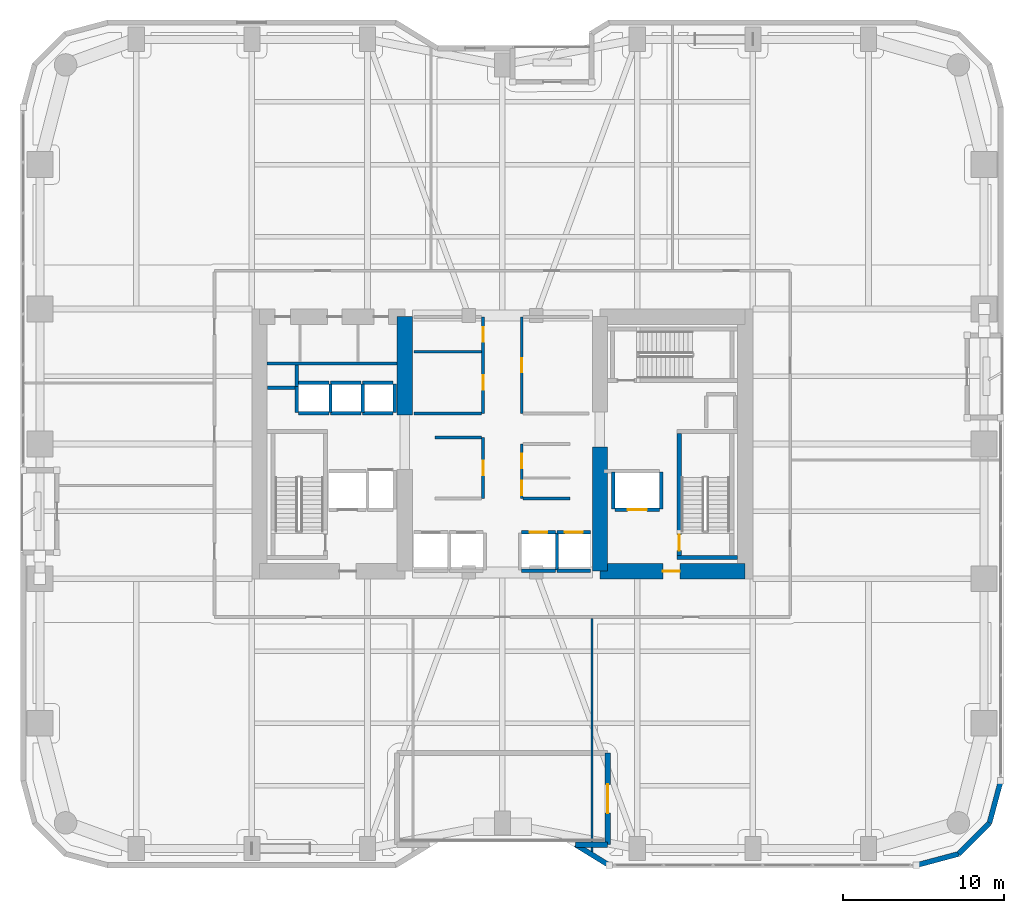
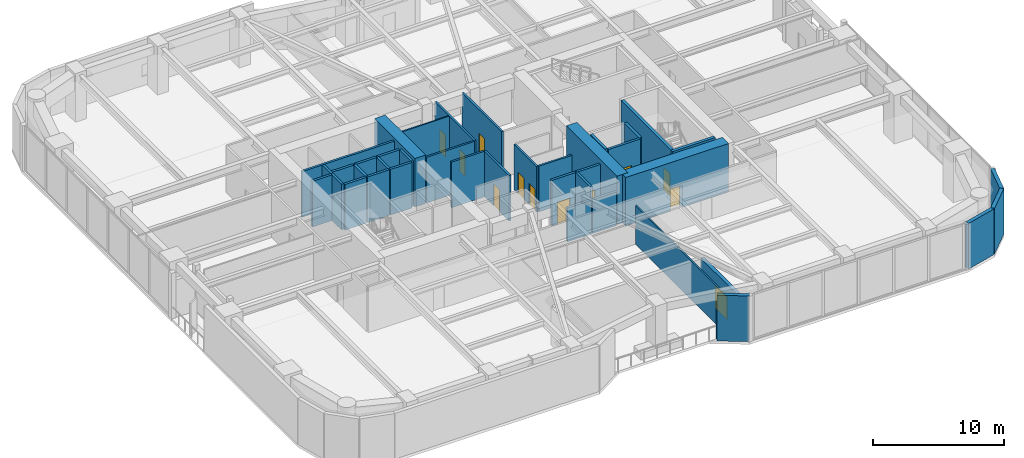
# One storey, part 18 of 25: 41 walls, 12 doors, 12 openings.
"""IFC4 building model written with IfcOpenShell, lengths in metres."""

from ifc_helpers import new_model, si_unit, direction, frame, frame_2d, origin, place, context, subcontext, project, spatial, rectangle, extrude, material, layer, layer_set, type_object, element, fill, save


model = new_model("IFC4")

# Units and contexts
model_context = context("Model", 3, precision=1e-05, world=origin(), true_north=direction((0.0, 1.0)))
body_context = subcontext(model_context, "Body", "Model", "MODEL_VIEW")
ifc_project = project(units=[si_unit("LENGTHUNIT", "METRE"), si_unit("AREAUNIT", "SQUARE_METRE"), si_unit("VOLUMEUNIT", "CUBIC_METRE"), si_unit("PLANEANGLEUNIT", "RADIAN"), si_unit("MASSUNIT", "GRAM", prefix="KILO")], contexts=[model_context])

# Site, building, storey
site_placement = place(None, origin())
site = spatial("IfcSite", under=ifc_project, at=site_placement, CompositionType="ELEMENT")
building_placement = place(site_placement, origin())
building = spatial("IfcBuilding", under=site, at=building_placement, Name="Kiyonajd Concourse Tower", CompositionType="ELEMENT")
storey_placement = place(building_placement, frame((0.0, 0.0, 68.39990234375)))
storey = spatial("IfcBuildingStorey", under=building, at=storey_placement, Name="L18", CompositionType="ELEMENT", Elevation=68.39990234375)

# Walls
ifc_material_1 = material(Name="Concrete C80/95", Category="concrete")
ifc_layer_1 = layer(ifc_material_1, 0.949951171875)
ifc_layer_set_1 = layer_set([ifc_layer_1], Name="Concrete C80/95")
wall_type_1 = type_object("IfcWallType", Name="WL-CORE-950", PredefinedType="SHEAR", material=ifc_layer_set_1)
wall_1_placement = place(storey_placement, frame((41.925048828125, 37.800048828125, 0.0), z_axis=(0.0, 0.0, 1.0), x_axis=(0.0, 1.0, 0.0)))
element("IfcWall", 1, at=wall_1_placement, inside=storey, type_object=wall_type_1, Name="L18 West Core Inner North Shear Wall", PredefinedType="SHEAR", context=body_context, shape_type="SweptSolid", body=[
    extrude(rectangle(XDim=6.125, YDim=0.949951171875, at=frame_2d((3.0625, 0.0))), origin(), (0.0, 0.0, 1.0), 4.5),
])
wall_2_placement = place(storey_placement, frame((54.074951171875, 28.074951171875, 0.0), z_axis=(0.0, 0.0, 1.0), x_axis=(0.0, 1.0, 0.0)))
element("IfcWall", 2, at=wall_2_placement, inside=storey, type_object=wall_type_1, Name="L18 East Core Inner South Shear Wall", PredefinedType="SHEAR", context=body_context, shape_type="SweptSolid", body=[
    extrude(rectangle(XDim=7.72509765625, YDim=0.949951171875, at=frame_2d((3.862548828125, 0.0))), origin(), (0.0, 0.0, 1.0), 4.5),
])

# Wall, opening, door
wall_3_placement = place(storey_placement, frame((54.074951171875, 28.074951171875, 0.0), z_axis=(0.0, 0.0, 1.0), x_axis=(1.0, 0.0, 0.0)))
wall_3 = element("IfcWall", 3, at=wall_3_placement, inside=storey, type_object=wall_type_1, Name="L18 East Core South Shear Wall", PredefinedType="SHEAR", context=body_context, shape_type="SweptSolid", body=[
    extrude(rectangle(XDim=9.050048828125, YDim=0.949951171875, at=frame_2d((4.52490234375, 0.0))), origin(), (0.0, 0.0, 1.0), 4.5),
])
opening_1_placement = place(wall_3_placement, frame((3.925048828125, 0.0, 0.0)))
opening_1 = element("IfcOpeningElement", 4, at=opening_1_placement, cuts=wall_3, Name="Opening DF5", PredefinedType="OPENING", context=body_context, shape_type="SweptSolid", body=[
    extrude(rectangle(XDim=1.050048828125, YDim=2.0400390625, at=frame_2d((0.52490234375, 1.02001953125))), frame((0.0, 0.48486328125, 0.0), z_axis=(0.0, -1.0, 0.0), x_axis=(1.0, 0.0, 0.0)), (0.0, 0.0, 1.0), 0.969970703125),
])
ifc_material_2 = material(Name="Brushed Stainless Steel Cab Assembly", Category="steel")
door_type_1 = type_object("IfcDoorType", Name="DR-FD45-1050", OperationType="NOTDEFINED", PredefinedType="DOOR", material=ifc_material_2)
door_1_placement = place(opening_1_placement, origin())
door_1 = element("IfcDoor", 5, at=door_1_placement, inside=storey, type_object=door_type_1, Name="L18 Firefighting Lift Lobby E Smoke Door", OperationType="SINGLE_SWING_RIGHT", OverallHeight=2.0400390625, OverallWidth=1.050048828125, PredefinedType="DOOR", context=body_context, shape_type="SweptSolid", body=[
    extrude(rectangle(XDim=1.050048828125, YDim=2.0400390625, at=frame_2d((0.52490234375, 1.02001953125))), frame((0.0, 0.02490234375, 0.0), z_axis=(0.0, -1.0, 0.0), x_axis=(1.0, 0.0, 0.0)), (0.0, 0.0, 1.0), 0.050048828125),
])
fill(opening_1, door_1)

# Walls
ifc_material_3 = material(Name="Precast concrete C50/60", Category="concrete")
ifc_layer_2 = layer(ifc_material_3, 0.320068359375)
ifc_layer_set_2 = layer_set([ifc_layer_2], Name="Precast concrete C50/60")
wall_type_2 = type_object("IfcWallType", Name="WL-EXT-320", PredefinedType="SOLIDWALL", material=ifc_layer_set_2)
wall_4_placement = place(storey_placement, frame((79.0400390625, 15.02099609375, 0.0), z_axis=(0.0, 0.0, 1.0), x_axis=(-0.25869736047, -0.965958423373, 0.0)))
element("IfcWall", 6, at=wall_4_placement, inside=storey, type_object=wall_type_2, Name="L18 Exterior Concrete Frame Wall 06", PredefinedType="SOLIDWALL", context=body_context, shape_type="SweptSolid", body=[
    extrude(rectangle(XDim=2.731201171875, YDim=0.320068359375, at=frame_2d((1.36572265625, 0.0))), origin(), (0.0, 0.0, 1.0), 4.239990234375),
])
wall_5_placement = place(storey_placement, frame((78.33349609375, 12.3828125, 0.0), z_axis=(0.0, 0.0, 1.0), x_axis=(-0.707106781187, -0.707106781187, 0.0)))
element("IfcWall", 7, at=wall_5_placement, inside=storey, type_object=wall_type_2, Name="L18 Exterior Concrete Frame Wall 07", PredefinedType="SOLIDWALL", context=body_context, shape_type="SweptSolid", body=[
    extrude(rectangle(XDim=2.7099609375, YDim=0.320068359375, at=frame_2d((1.35498046875, 0.0))), origin(), (0.0, 0.0, 1.0), 4.239990234375),
])
wall_6_placement = place(storey_placement, frame((76.417236328125, 10.466552734375, 0.0), z_axis=(0.0, 0.0, 1.0), x_axis=(-0.965964405026, -0.25867502435, 0.0)))
element("IfcWall", 8, at=wall_6_placement, inside=storey, type_object=wall_type_2, Name="L18 Exterior Concrete Frame Wall 08", PredefinedType="SOLIDWALL", context=body_context, shape_type="SweptSolid", body=[
    extrude(rectangle(XDim=2.7314453125, YDim=0.320068359375, at=frame_2d((1.36572265625, 0.0))), origin(), (0.0, 0.0, 1.0), 4.239990234375),
])
wall_7_placement = place(storey_placement, frame((54.645263671875, 9.760009765625, 0.0), z_axis=(0.0, 0.0, 1.0), x_axis=(-0.8516617488, 0.524091848469, 0.0)))
element("IfcWall", 9, at=wall_7_placement, inside=storey, type_object=wall_type_2, Name="L18 Exterior Concrete Frame Wall 10", PredefinedType="SOLIDWALL", context=body_context, shape_type="SweptSolid", body=[
    extrude(rectangle(XDim=2.4423828125, YDim=0.320068359375, at=frame_2d((1.22119140625, 0.0))), origin(), (0.0, 0.0, 1.0), 4.239990234375),
])
wall_8_placement = place(storey_placement, frame((52.565185546875, 11.0400390625, 0.0), z_axis=(0.0, 0.0, 1.0), x_axis=(1.0, 0.0, 0.0)))
element("IfcWall", 10, at=wall_8_placement, inside=storey, type_object=wall_type_2, Name="L18 Exterior Concrete Frame Wall 11", PredefinedType="SOLIDWALL", context=body_context, shape_type="SweptSolid", body=[
    extrude(rectangle(XDim=1.994873046875, YDim=0.320068359375, at=frame_2d((0.99755859375, 0.0))), origin(), (0.0, 0.0, 1.0), 3.47509765625),
])

# Wall, opening, door
wall_9_placement = place(storey_placement, frame((54.56005859375, 11.0400390625, 0.0), z_axis=(0.0, 0.0, 1.0), x_axis=(0.0, 1.0, 0.0)))
wall_9 = element("IfcWall", 11, at=wall_9_placement, inside=storey, type_object=wall_type_2, Name="L18 Sky Garden Threshold Wall", PredefinedType="SOLIDWALL", context=body_context, shape_type="SweptSolid", body=[
    extrude(rectangle(XDim=5.719970703125, YDim=0.320068359375, at=frame_2d((2.85986328125, 0.0))), origin(), (0.0, 0.0, 1.0), 3.47509765625),
])
opening_2_placement = place(wall_9_placement, frame((1.9599609375, 0.0, 0.0)))
opening_2 = element("IfcOpeningElement", 12, at=opening_2_placement, cuts=wall_9, Name="Opening DSK1", PredefinedType="OPENING", context=body_context, shape_type="SweptSolid", body=[
    extrude(rectangle(XDim=1.800048828125, YDim=2.10009765625, at=frame_2d((0.89990234375, 1.050048828125))), frame((0.0, 0.169921875, 0.0), z_axis=(0.0, -1.0, 0.0), x_axis=(1.0, 0.0, 0.0)), (0.0, 0.0, 1.0), 0.340087890625),
])
ifc_material_4 = material(Name="Thermally Broken Anodised Aluminium", Category="aluminium")
door_type_2 = type_object("IfcDoorType", Name="DR-SKY-1800", OperationType="DOUBLE_DOOR_SINGLE_SWING", PredefinedType="DOOR", material=ifc_material_4)
door_2_placement = place(opening_2_placement, origin())
door_2 = element("IfcDoor", 13, at=door_2_placement, inside=storey, type_object=door_type_2, Name="L18 Sky Garden Terrace Double Door", OperationType="DOUBLE_DOOR_SINGLE_SWING", OverallHeight=2.10009765625, OverallWidth=1.800048828125, PredefinedType="DOOR", context=body_context, shape_type="SweptSolid", body=[
    extrude(rectangle(XDim=1.800048828125, YDim=2.10009765625, at=frame_2d((0.89990234375, 1.050048828125))), frame((0.0, 0.02490234375, 0.0), z_axis=(0.0, -1.0, 0.0), x_axis=(1.0, 0.0, 0.0)), (0.0, 0.0, 1.0), 0.050048828125),
])
fill(opening_2, door_2)

# Walls
ifc_material_5 = material(Name="Gypsum Board on Cold-Formed Steel Stud", Category="steel")
ifc_layer_3 = layer(ifc_material_5, 0.125)
ifc_layer_set_3 = layer_set([ifc_layer_3], Name="Gypsum Board on Cold-Formed Steel Stud")
wall_type_3 = type_object("IfcWallType", Name="WL-PART-125", PredefinedType="PARTITIONING", material=ifc_layer_set_3)
wall_10_placement = place(storey_placement, frame((42.5, 41.739990234375, 0.0), z_axis=(0.0, 0.0, 1.0), x_axis=(1.0, 0.0, 0.0)))
element("IfcWall", 14, at=wall_10_placement, inside=storey, type_object=wall_type_3, Name="L18 Interior Partition Wall", PredefinedType="PARTITIONING", context=body_context, shape_type="SweptSolid", body=[
    extrude(rectangle(XDim=4.212890625, YDim=0.125, at=frame_2d((2.1064453125, 0.0))), origin(), (0.0, 0.0, 1.0), 4.239990234375),
])
wall_11_placement = place(storey_placement, frame((53.570068359375, 10.576904296875, 0.0), z_axis=(0.0, 0.0, 1.0), x_axis=(0.0, 1.0, 0.0)))
element("IfcWall", 15, at=wall_11_placement, inside=storey, type_object=wall_type_3, Name="L18 Interior Partition Wall", PredefinedType="PARTITIONING", context=body_context, shape_type="SweptSolid", body=[
    extrude(rectangle(XDim=14.55615234375, YDim=0.125, at=frame_2d((7.278076171875, 0.0))), origin(), (0.0, 0.0, 1.0), 3.60302734375),
])
ifc_layer_4 = layer(ifc_material_5, 0.18994140625)
ifc_layer_set_4 = layer_set([ifc_layer_4], Name="Gypsum Board on Cold-Formed Steel Stud")
wall_type_4 = type_object("IfcWallType", Name="WL-PLMB-190", PredefinedType="PLUMBINGWALL", material=ifc_layer_set_4)
wall_12_placement = place(storey_placement, frame((33.35009765625, 41.0, 0.0), z_axis=(0.0, 0.0, 1.0), x_axis=(1.0, 0.0, 0.0)))
element("IfcWall", 16, at=wall_12_placement, inside=storey, type_object=wall_type_4, Name="L18 Interior Partition Wall", PredefinedType="PLUMBINGWALL", context=body_context, shape_type="SweptSolid", body=[
    extrude(rectangle(XDim=8.099853515625, YDim=0.18994140625, at=frame_2d((4.0498046875, 0.0))), origin(), (0.0, 0.0, 1.0), 4.239990234375),
])
ifc_layer_5 = layer(ifc_material_5, 0.2099609375)
ifc_layer_set_5 = layer_set([ifc_layer_5], Name="Gypsum Board on Cold-Formed Steel Stud")
wall_type_5 = type_object("IfcWallType", Name="WL-SHAFT-210", PredefinedType="PARTITIONING", material=ifc_layer_set_5)
wall_13_placement = place(storey_placement, frame((33.360107421875, 39.5, 0.0), z_axis=(0.0, 0.0, 1.0), x_axis=(1.0, 0.0, 0.0)))
element("IfcWall", 17, at=wall_13_placement, inside=storey, type_object=wall_type_5, Name="L18 Shaft Enclosure Wall", PredefinedType="PARTITIONING", context=body_context, shape_type="SweptSolid", body=[
    extrude(rectangle(XDim=1.85986328125, YDim=0.2099609375, at=frame_2d((0.929931640625, 0.0))), origin(), (0.0, 0.0, 1.0), 4.239990234375),
])
wall_14_placement = place(storey_placement, frame((35.199951171875, 39.580078125, 0.0), z_axis=(0.0, 0.0, 1.0), x_axis=(0.0, 1.0, 0.0)))
element("IfcWall", 18, at=wall_14_placement, inside=storey, type_object=wall_type_5, Name="L18 Shaft Enclosure Wall", PredefinedType="PARTITIONING", context=body_context, shape_type="SweptSolid", body=[
    extrude(rectangle(XDim=1.31982421875, YDim=0.2099609375, at=frame_2d((0.659912109375, 0.0))), origin(), (0.0, 0.0, 1.0), 4.239990234375),
])

# Wall, opening, door
wall_15_placement = place(storey_placement, frame((55.0, 31.89990234375, 0.0), z_axis=(0.0, 0.0, 1.0), x_axis=(1.0, 0.0, 0.0)))
wall_15 = element("IfcWall", 19, at=wall_15_placement, inside=storey, type_object=wall_type_5, Name="L18 Shaft Enclosure Wall", PredefinedType="PARTITIONING", context=body_context, shape_type="SweptSolid", body=[
    extrude(rectangle(XDim=2.800048828125, YDim=0.2099609375, at=frame_2d((1.39990234375, 0.0))), origin(), (0.0, 0.0, 1.0), 4.239990234375),
])
opening_3_placement = place(wall_15_placement, frame((0.800048828125, 0.0, 0.0)))
opening_3 = element("IfcOpeningElement", 20, at=opening_3_placement, cuts=wall_15, Name="Opening LD2", PredefinedType="OPENING", context=body_context, shape_type="SweptSolid", body=[
    extrude(rectangle(XDim=1.199951171875, YDim=2.0400390625, at=frame_2d((0.60009765625, 1.02001953125))), frame((0.0, 0.114990234375, 0.0), z_axis=(0.0, -1.0, 0.0), x_axis=(1.0, 0.0, 0.0)), (0.0, 0.0, 1.0), 0.22998046875),
])
door_type_3 = type_object("IfcDoorType", Name="DR-LD-1200", OperationType="DOUBLE_DOOR_SLIDING", PredefinedType="DOOR", material=ifc_material_2)
door_3_placement = place(opening_3_placement, origin())
door_3 = element("IfcDoor", 21, at=door_3_placement, inside=storey, type_object=door_type_3, Name="L18 Lift FFL2 Sliding Landing Door", OperationType="DOUBLE_DOOR_SLIDING", OverallHeight=2.0400390625, OverallWidth=1.199951171875, PredefinedType="DOOR", context=body_context, shape_type="SweptSolid", body=[
    extrude(rectangle(XDim=1.199951171875, YDim=2.0400390625, at=frame_2d((0.60009765625, 1.02001953125))), frame((0.0, 0.02490234375, 0.0), z_axis=(0.0, -1.0, 0.0), x_axis=(1.0, 0.0, 0.0)), (0.0, 0.0, 1.0), 0.050048828125),
])
fill(opening_3, door_3)

# Walls
for number, where, z_axis, x_axis, name in (
    (22, (54.89990234375, 31.9599609375, 0.0), (0.0, 0.0, 1.0), (0.0, 1.0, 0.0), "L18 Shaft Enclosure Wall"),
    (23, (57.89990234375, 31.9599609375, 0.0), (0.0, 0.0, 1.0), (0.0, 1.0, 0.0), "L18 Shaft Enclosure Wall"),
):
    element("IfcWall", number, at=place(storey_placement, frame(where, z_axis=z_axis, x_axis=x_axis)), inside=storey, type_object=wall_type_5, Name=name, PredefinedType="PARTITIONING", context=body_context, shape_type="SweptSolid", body=[
        extrude(rectangle(XDim=2.280029296875, YDim=0.2099609375, at=frame_2d((1.14013671875, 0.0))), origin(), (0.0, 0.0, 1.0), 4.239990234375),
    ])

# Wall, opening, door
wall_16_placement = place(storey_placement, frame((49.199951171875, 30.5, 0.0), z_axis=(0.0, 0.0, 1.0), x_axis=(1.0, 0.0, 0.0)))
wall_16 = element("IfcWall", 24, at=wall_16_placement, inside=storey, type_object=wall_type_5, Name="L18 Shaft Enclosure Wall", PredefinedType="PARTITIONING", context=body_context, shape_type="SweptSolid", body=[
    extrude(rectangle(XDim=2.10009765625, YDim=0.2099609375, at=frame_2d((1.050048828125, 0.0))), origin(), (0.0, 0.0, 1.0), 4.239990234375),
])
opening_4_placement = place(wall_16_placement, frame((0.5, 0.0, 0.0)))
opening_4 = element("IfcOpeningElement", 25, at=opening_4_placement, cuts=wall_16, Name="Opening LD1", PredefinedType="OPENING", context=body_context, shape_type="SweptSolid", body=[
    extrude(rectangle(XDim=1.10009765625, YDim=2.0400390625, at=frame_2d((0.550048828125, 1.02001953125))), frame((0.0, 0.114990234375, 0.0), z_axis=(0.0, -1.0, 0.0), x_axis=(1.0, 0.0, 0.0)), (0.0, 0.0, 1.0), 0.22998046875),
])
door_type_4 = type_object("IfcDoorType", Name="DR-LD-1100", OperationType="DOUBLE_DOOR_SLIDING", PredefinedType="DOOR", material=ifc_material_2)
door_4_placement = place(opening_4_placement, origin())
door_4 = element("IfcDoor", 26, at=door_4_placement, inside=storey, type_object=door_type_4, Name="L18 Lift PL-L3 Sliding Landing Door", OperationType="DOUBLE_DOOR_SLIDING", OverallHeight=2.0400390625, OverallWidth=1.10009765625, PredefinedType="DOOR", context=body_context, shape_type="SweptSolid", body=[
    extrude(rectangle(XDim=1.10009765625, YDim=2.0400390625, at=frame_2d((0.550048828125, 1.02001953125))), frame((0.0, 0.02490234375, 0.0), z_axis=(0.0, -1.0, 0.0), x_axis=(1.0, 0.0, 0.0)), (0.0, 0.0, 1.0), 0.050048828125),
])
fill(opening_4, door_4)

# Walls
wall_17_placement = place(storey_placement, frame((49.199951171875, 28.10009765625, 0.0), z_axis=(0.0, 0.0, 1.0), x_axis=(1.0, 0.0, 0.0)))
element("IfcWall", 27, at=wall_17_placement, inside=storey, type_object=wall_type_5, Name="L18 Shaft Enclosure Wall", PredefinedType="PARTITIONING", context=body_context, shape_type="SweptSolid", body=[
    extrude(rectangle(XDim=2.10009765625, YDim=0.2099609375, at=frame_2d((1.050048828125, 0.0))), origin(), (0.0, 0.0, 1.0), 3.125),
])
wall_18_placement = place(storey_placement, frame((51.39990234375, 28.159912109375, 0.0), z_axis=(0.0, 0.0, 1.0), x_axis=(0.0, 1.0, 0.0)))
element("IfcWall", 28, at=wall_18_placement, inside=storey, type_object=wall_type_5, Name="L18 Shaft Enclosure Wall", PredefinedType="PARTITIONING", context=body_context, shape_type="SweptSolid", body=[
    extrude(rectangle(XDim=2.280029296875, YDim=0.2099609375, at=frame_2d((1.14013671875, 0.0))), origin(), (0.0, 0.0, 1.0), 4.239990234375),
])

# Wall, opening, door
wall_19_placement = place(storey_placement, frame((51.39990234375, 30.5, 0.0), z_axis=(0.0, 0.0, 1.0), x_axis=(1.0, 0.0, 0.0)))
wall_19 = element("IfcWall", 29, at=wall_19_placement, inside=storey, type_object=wall_type_5, Name="L18 Shaft Enclosure Wall", PredefinedType="PARTITIONING", context=body_context, shape_type="SweptSolid", body=[
    extrude(rectangle(XDim=2.10009765625, YDim=0.2099609375, at=frame_2d((1.050048828125, 0.0))), origin(), (0.0, 0.0, 1.0), 4.239990234375),
])
opening_5_placement = place(wall_19_placement, frame((0.5, 0.0, 0.0)))
opening_5 = element("IfcOpeningElement", 30, at=opening_5_placement, cuts=wall_19, Name="Opening LD1", PredefinedType="OPENING", context=body_context, shape_type="SweptSolid", body=[
    extrude(rectangle(XDim=1.10009765625, YDim=2.0400390625, at=frame_2d((0.550048828125, 1.02001953125))), frame((0.0, 0.114990234375, 0.0), z_axis=(0.0, -1.0, 0.0), x_axis=(1.0, 0.0, 0.0)), (0.0, 0.0, 1.0), 0.22998046875),
])
door_5_placement = place(opening_5_placement, origin())
door_5 = element("IfcDoor", 31, at=door_5_placement, inside=storey, type_object=door_type_4, Name="L18 Lift PL-L4 Sliding Landing Door", OperationType="DOUBLE_DOOR_SLIDING", OverallHeight=2.0400390625, OverallWidth=1.10009765625, PredefinedType="DOOR", context=body_context, shape_type="SweptSolid", body=[
    extrude(rectangle(XDim=1.10009765625, YDim=2.0400390625, at=frame_2d((0.550048828125, 1.02001953125))), frame((0.0, 0.02490234375, 0.0), z_axis=(0.0, -1.0, 0.0), x_axis=(1.0, 0.0, 0.0)), (0.0, 0.0, 1.0), 0.050048828125),
])
fill(opening_5, door_5)

# Walls
wall_20_placement = place(storey_placement, frame((51.39990234375, 28.10009765625, 0.0), z_axis=(0.0, 0.0, 1.0), x_axis=(1.0, 0.0, 0.0)))
element("IfcWall", 32, at=wall_20_placement, inside=storey, type_object=wall_type_5, Name="L18 Shaft Enclosure Wall", PredefinedType="PARTITIONING", context=body_context, shape_type="SweptSolid", body=[
    extrude(rectangle(XDim=2.10009765625, YDim=0.2099609375, at=frame_2d((1.050048828125, 0.0))), origin(), (0.0, 0.0, 1.0), 3.125),
])
for number, where, z_axis, x_axis, name in (
    (33, (35.300048828125, 37.89990234375, 0.0), (0.0, 0.0, 1.0), (1.0, 0.0, 0.0), "L18 Shaft Enclosure Wall"),
    (34, (35.300048828125, 39.800048828125, 0.0), (0.0, 0.0, 1.0), (1.0, 0.0, 0.0), "L18 Shaft Enclosure Wall"),
):
    element("IfcWall", number, at=place(storey_placement, frame(where, z_axis=z_axis, x_axis=x_axis)), inside=storey, type_object=wall_type_5, Name=name, PredefinedType="PARTITIONING", context=body_context, shape_type="SweptSolid", body=[
        extrude(rectangle(XDim=1.89990234375, YDim=0.2099609375, at=frame_2d((0.949951171875, 0.0))), origin(), (0.0, 0.0, 1.0), 4.239990234375),
    ])
wall_21_placement = place(storey_placement, frame((35.199951171875, 37.9599609375, 0.0), z_axis=(0.0, 0.0, 1.0), x_axis=(0.0, 1.0, 0.0)))
element("IfcWall", 35, at=wall_21_placement, inside=storey, type_object=wall_type_5, Name="L18 Shaft Enclosure Wall", PredefinedType="PARTITIONING", context=body_context, shape_type="SweptSolid", body=[
    extrude(rectangle(XDim=1.6201171875, YDim=0.2099609375, at=frame_2d((0.81005859375, 0.0))), origin(), (0.0, 0.0, 1.0), 4.239990234375),
])
wall_22_placement = place(storey_placement, frame((37.300048828125, 37.9599609375, 0.0), z_axis=(0.0, 0.0, 1.0), x_axis=(0.0, 1.0, 0.0)))
element("IfcWall", 36, at=wall_22_placement, inside=storey, type_object=wall_type_5, Name="L18 Shaft Enclosure Wall", PredefinedType="PARTITIONING", context=body_context, shape_type="SweptSolid", body=[
    extrude(rectangle(XDim=1.780029296875, YDim=0.2099609375, at=frame_2d((0.89013671875, 0.0))), origin(), (0.0, 0.0, 1.0), 4.239990234375),
])
for number, where, z_axis, x_axis, name in (
    (37, (37.300048828125, 37.89990234375, 0.0), (0.0, 0.0, 1.0), (1.0, 0.0, 0.0), "L18 Shaft Enclosure Wall"),
    (38, (37.300048828125, 39.800048828125, 0.0), (0.0, 0.0, 1.0), (1.0, 0.0, 0.0), "L18 Shaft Enclosure Wall"),
):
    element("IfcWall", number, at=place(storey_placement, frame(where, z_axis=z_axis, x_axis=x_axis)), inside=storey, type_object=wall_type_5, Name=name, PredefinedType="PARTITIONING", context=body_context, shape_type="SweptSolid", body=[
        extrude(rectangle(XDim=1.89990234375, YDim=0.2099609375, at=frame_2d((0.949951171875, 0.0))), origin(), (0.0, 0.0, 1.0), 4.239990234375),
    ])
wall_23_placement = place(storey_placement, frame((39.300048828125, 37.9599609375, 0.0), z_axis=(0.0, 0.0, 1.0), x_axis=(0.0, 1.0, 0.0)))
element("IfcWall", 39, at=wall_23_placement, inside=storey, type_object=wall_type_5, Name="L18 Shaft Enclosure Wall", PredefinedType="PARTITIONING", context=body_context, shape_type="SweptSolid", body=[
    extrude(rectangle(XDim=1.780029296875, YDim=0.2099609375, at=frame_2d((0.89013671875, 0.0))), origin(), (0.0, 0.0, 1.0), 4.239990234375),
])
for number, where, z_axis, x_axis, name in (
    (40, (39.300048828125, 37.89990234375, 0.0), (0.0, 0.0, 1.0), (1.0, 0.0, 0.0), "L18 Shaft Enclosure Wall"),
    (41, (39.300048828125, 39.800048828125, 0.0), (0.0, 0.0, 1.0), (1.0, 0.0, 0.0), "L18 Shaft Enclosure Wall"),
):
    element("IfcWall", number, at=place(storey_placement, frame(where, z_axis=z_axis, x_axis=x_axis)), inside=storey, type_object=wall_type_5, Name=name, PredefinedType="PARTITIONING", context=body_context, shape_type="SweptSolid", body=[
        extrude(rectangle(XDim=1.89990234375, YDim=0.2099609375, at=frame_2d((0.949951171875, 0.0))), origin(), (0.0, 0.0, 1.0), 4.239990234375),
    ])
wall_24_placement = place(storey_placement, frame((41.300048828125, 37.9599609375, 0.0), z_axis=(0.0, 0.0, 1.0), x_axis=(0.0, 1.0, 0.0)))
element("IfcWall", 42, at=wall_24_placement, inside=storey, type_object=wall_type_5, Name="L18 Shaft Enclosure Wall", PredefinedType="PARTITIONING", context=body_context, shape_type="SweptSolid", body=[
    extrude(rectangle(XDim=1.780029296875, YDim=0.2099609375, at=frame_2d((0.89013671875, 0.0))), origin(), (0.0, 0.0, 1.0), 4.239990234375),
])

# Wall, opening, door
ifc_layer_6 = layer(ifc_material_5, 0.169921875)
ifc_layer_set_6 = layer_set([ifc_layer_6], Name="Gypsum Board on Cold-Formed Steel Stud")
wall_type_6 = type_object("IfcWallType", Name="WL-SMK-170", PredefinedType="PARTITIONING", material=ifc_layer_set_6)
wall_25_placement = place(storey_placement, frame((46.800048828125, 32.60009765625, 0.0), z_axis=(0.0, 0.0, 1.0), x_axis=(0.0, 1.0, 0.0)))
wall_25 = element("IfcWall", 43, at=wall_25_placement, inside=storey, type_object=wall_type_6, Name="L18 Interior Partition Wall", PredefinedType="PARTITIONING", context=body_context, shape_type="SweptSolid", body=[
    extrude(rectangle(XDim=3.7998046875, YDim=0.169921875, at=frame_2d((1.89990234375, 0.0))), origin(), (0.0, 0.0, 1.0), 4.239990234375),
])
opening_6_placement = place(wall_25_placement, frame((1.449951171875, 0.0, 0.0)))
opening_6 = element("IfcOpeningElement", 44, at=opening_6_placement, cuts=wall_25, Name="Opening DI2", PredefinedType="OPENING", context=body_context, shape_type="SweptSolid", body=[
    extrude(rectangle(XDim=0.89990234375, YDim=2.02001953125, at=frame_2d((0.449951171875, 1.010009765625))), frame((0.0, 0.094970703125, 0.0), z_axis=(0.0, -1.0, 0.0), x_axis=(1.0, 0.0, 0.0)), (0.0, 0.0, 1.0), 0.18994140625),
])
ifc_material_6 = material(Name="Natural Oak Acoustic Timber Veneer", Category="wood")
door_type_5 = type_object("IfcDoorType", Name="DR-INT-900", OperationType="NOTDEFINED", PredefinedType="DOOR", material=ifc_material_6)
door_6_placement = place(opening_6_placement, origin())
door_6 = element("IfcDoor", 45, at=door_6_placement, inside=storey, type_object=door_type_5, Name="L18 Interior Door", OperationType="SINGLE_SWING_LEFT", OverallHeight=2.02001953125, OverallWidth=0.89990234375, PredefinedType="DOOR", context=body_context, shape_type="SweptSolid", body=[
    extrude(rectangle(XDim=0.89990234375, YDim=2.02001953125, at=frame_2d((0.449951171875, 1.010009765625))), frame((0.0, 0.02490234375, 0.0), z_axis=(0.0, -1.0, 0.0), x_axis=(1.0, 0.0, 0.0)), (0.0, 0.0, 1.0), 0.050048828125),
])
fill(opening_6, door_6)

# Wall
wall_26_placement = place(storey_placement, frame((43.800048828125, 36.39990234375, 0.0), z_axis=(0.0, 0.0, 1.0), x_axis=(1.0, 0.0, 0.0)))
element("IfcWall", 46, at=wall_26_placement, inside=storey, type_object=wall_type_6, Name="L18 Interior Partition Wall", PredefinedType="PARTITIONING", context=body_context, shape_type="SweptSolid", body=[
    extrude(rectangle(XDim=2.912841796875, YDim=0.169921875, at=frame_2d((1.45654296875, 0.0))), origin(), (0.0, 0.0, 1.0), 4.239990234375),
])

# Wall, openings, doors
wall_27_placement = place(storey_placement, frame((49.199951171875, 32.60009765625, 0.0), z_axis=(0.0, 0.0, 1.0), x_axis=(0.0, 1.0, 0.0)))
wall_27 = element("IfcWall", 47, at=wall_27_placement, inside=storey, type_object=wall_type_6, Name="L18 Interior Partition Wall", PredefinedType="PARTITIONING", context=body_context, shape_type="SweptSolid", body=[
    extrude(rectangle(XDim=3.39990234375, YDim=0.169921875, at=frame_2d((1.699951171875, 0.0))), origin(), (0.0, 0.0, 1.0), 4.239990234375),
])
opening_7_placement = place(wall_27_placement, frame((0.196044921875, 0.0, 0.0)))
opening_7 = element("IfcOpeningElement", 48, at=opening_7_placement, cuts=wall_27, Name="Opening DI2", PredefinedType="OPENING", context=body_context, shape_type="SweptSolid", body=[
    extrude(rectangle(XDim=0.89990234375, YDim=2.02001953125, at=frame_2d((0.449951171875, 1.010009765625))), frame((0.0, 0.094970703125, 0.0), z_axis=(0.0, -1.0, 0.0), x_axis=(1.0, 0.0, 0.0)), (0.0, 0.0, 1.0), 0.18994140625),
])
opening_8_placement = place(wall_27_placement, frame((1.89599609375, 0.0, 0.0)))
opening_8 = element("IfcOpeningElement", 49, at=opening_8_placement, cuts=wall_27, Name="Opening DI2", PredefinedType="OPENING", context=body_context, shape_type="SweptSolid", body=[
    extrude(rectangle(XDim=0.89990234375, YDim=2.02001953125, at=frame_2d((0.449951171875, 1.010009765625))), frame((0.0, 0.094970703125, 0.0), z_axis=(0.0, -1.0, 0.0), x_axis=(1.0, 0.0, 0.0)), (0.0, 0.0, 1.0), 0.18994140625),
])
door_7_placement = place(opening_7_placement, origin())
door_7 = element("IfcDoor", 50, at=door_7_placement, inside=storey, type_object=door_type_5, Name="L18 Interior Door", OperationType="SINGLE_SWING_RIGHT", OverallHeight=2.02001953125, OverallWidth=0.89990234375, PredefinedType="DOOR", context=body_context, shape_type="SweptSolid", body=[
    extrude(rectangle(XDim=0.89990234375, YDim=2.02001953125, at=frame_2d((0.449951171875, 1.010009765625))), frame((0.0, 0.02490234375, 0.0), z_axis=(0.0, -1.0, 0.0), x_axis=(1.0, 0.0, 0.0)), (0.0, 0.0, 1.0), 0.050048828125),
])
fill(opening_7, door_7)
door_8_placement = place(opening_8_placement, origin())
door_8 = element("IfcDoor", 51, at=door_8_placement, inside=storey, type_object=door_type_5, Name="L18 Interior Door", OperationType="SINGLE_SWING_LEFT", OverallHeight=2.02001953125, OverallWidth=0.89990234375, PredefinedType="DOOR", context=body_context, shape_type="SweptSolid", body=[
    extrude(rectangle(XDim=0.89990234375, YDim=2.02001953125, at=frame_2d((0.449951171875, 1.010009765625))), frame((0.0, 0.02490234375, 0.0), z_axis=(0.0, -1.0, 0.0), x_axis=(1.0, 0.0, 0.0)), (0.0, 0.0, 1.0), 0.050048828125),
])
fill(opening_8, door_8)

# Wall
wall_28_placement = place(storey_placement, frame((49.287109375, 32.60009765625, 0.0), z_axis=(0.0, 0.0, 1.0), x_axis=(1.0, 0.0, 0.0)))
element("IfcWall", 52, at=wall_28_placement, inside=storey, type_object=wall_type_6, Name="L18 Interior Partition Wall", PredefinedType="PARTITIONING", context=body_context, shape_type="SweptSolid", body=[
    extrude(rectangle(XDim=2.912841796875, YDim=0.169921875, at=frame_2d((1.45654296875, 0.0))), origin(), (0.0, 0.0, 1.0), 4.239990234375),
])

# Wall, openings, doors
wall_29_placement = place(storey_placement, frame((46.800048828125, 37.89990234375, 0.0), z_axis=(0.0, 0.0, 1.0), x_axis=(0.0, 1.0, 0.0)))
wall_29 = element("IfcWall", 53, at=wall_29_placement, inside=storey, type_object=wall_type_6, Name="L18 Interior Partition Wall", PredefinedType="PARTITIONING", context=body_context, shape_type="SweptSolid", body=[
    extrude(rectangle(XDim=6.0, YDim=0.169921875, at=frame_2d((3.0, 0.0))), origin(), (0.0, 0.0, 1.0), 4.239990234375),
])
opening_9_placement = place(wall_29_placement, frame((1.469970703125, 0.0, 0.0)))
opening_9 = element("IfcOpeningElement", 54, at=opening_9_placement, cuts=wall_29, Name="Opening DF4", PredefinedType="OPENING", context=body_context, shape_type="SweptSolid", body=[
    extrude(rectangle(XDim=0.89990234375, YDim=2.02001953125, at=frame_2d((0.449951171875, 1.010009765625))), frame((0.0, 0.094970703125, 0.0), z_axis=(0.0, -1.0, 0.0), x_axis=(1.0, 0.0, 0.0)), (0.0, 0.0, 1.0), 0.18994140625),
])
opening_10_placement = place(wall_29_placement, frame((4.469970703125, 0.0, 0.0)))
opening_10 = element("IfcOpeningElement", 55, at=opening_10_placement, cuts=wall_29, Name="Opening DF4", PredefinedType="OPENING", context=body_context, shape_type="SweptSolid", body=[
    extrude(rectangle(XDim=0.89990234375, YDim=2.02001953125, at=frame_2d((0.449951171875, 1.010009765625))), frame((0.0, 0.094970703125, 0.0), z_axis=(0.0, -1.0, 0.0), x_axis=(1.0, 0.0, 0.0)), (0.0, 0.0, 1.0), 0.18994140625),
])
door_type_6 = type_object("IfcDoorType", Name="DR-FD60-900", OperationType="NOTDEFINED", PredefinedType="DOOR", material=ifc_material_2)
door_9_placement = place(opening_9_placement, origin())
door_9 = element("IfcDoor", 56, at=door_9_placement, inside=storey, type_object=door_type_6, Name="L18 Interior Door", OperationType="SINGLE_SWING_RIGHT", OverallHeight=2.02001953125, OverallWidth=0.89990234375, PredefinedType="DOOR", context=body_context, shape_type="SweptSolid", body=[
    extrude(rectangle(XDim=0.89990234375, YDim=2.02001953125, at=frame_2d((0.449951171875, 1.010009765625))), frame((0.0, 0.02490234375, 0.0), z_axis=(0.0, -1.0, 0.0), x_axis=(1.0, 0.0, 0.0)), (0.0, 0.0, 1.0), 0.050048828125),
])
fill(opening_9, door_9)
door_10_placement = place(opening_10_placement, origin())
door_10 = element("IfcDoor", 57, at=door_10_placement, inside=storey, type_object=door_type_6, Name="L18 Interior Door", OperationType="SINGLE_SWING_LEFT", OverallHeight=2.02001953125, OverallWidth=0.89990234375, PredefinedType="DOOR", context=body_context, shape_type="SweptSolid", body=[
    extrude(rectangle(XDim=0.89990234375, YDim=2.02001953125, at=frame_2d((0.449951171875, 1.010009765625))), frame((0.0, 0.02490234375, 0.0), z_axis=(0.0, -1.0, 0.0), x_axis=(1.0, 0.0, 0.0)), (0.0, 0.0, 1.0), 0.050048828125),
])
fill(opening_10, door_10)

# Wall
wall_30_placement = place(storey_placement, frame((42.5, 37.89990234375, 0.0), z_axis=(0.0, 0.0, 1.0), x_axis=(1.0, 0.0, 0.0)))
element("IfcWall", 58, at=wall_30_placement, inside=storey, type_object=wall_type_6, Name="L18 Interior Partition Wall", PredefinedType="PARTITIONING", context=body_context, shape_type="SweptSolid", body=[
    extrude(rectangle(XDim=4.212890625, YDim=0.169921875, at=frame_2d((2.1064453125, 0.0))), origin(), (0.0, 0.0, 1.0), 4.239990234375),
])

# Wall, opening, door
wall_31_placement = place(storey_placement, frame((49.199951171875, 37.89990234375, 0.0), z_axis=(0.0, 0.0, 1.0), x_axis=(0.0, 1.0, 0.0)))
wall_31 = element("IfcWall", 59, at=wall_31_placement, inside=storey, type_object=wall_type_6, Name="L18 Interior Partition Wall", PredefinedType="PARTITIONING", context=body_context, shape_type="SweptSolid", body=[
    extrude(rectangle(XDim=6.0, YDim=0.169921875, at=frame_2d((3.0, 0.0))), origin(), (0.0, 0.0, 1.0), 4.239990234375),
])
opening_11_placement = place(wall_31_placement, frame((2.550048828125, 0.0, 0.0)))
opening_11 = element("IfcOpeningElement", 60, at=opening_11_placement, cuts=wall_31, Name="Opening DI2", PredefinedType="OPENING", context=body_context, shape_type="SweptSolid", body=[
    extrude(rectangle(XDim=0.89990234375, YDim=2.02001953125, at=frame_2d((0.449951171875, 1.010009765625))), frame((0.0, 0.094970703125, 0.0), z_axis=(0.0, -1.0, 0.0), x_axis=(1.0, 0.0, 0.0)), (0.0, 0.0, 1.0), 0.18994140625),
])
door_11_placement = place(opening_11_placement, origin())
door_11 = element("IfcDoor", 61, at=door_11_placement, inside=storey, type_object=door_type_5, Name="L18 Interior Door", OperationType="SINGLE_SWING_RIGHT", OverallHeight=2.02001953125, OverallWidth=0.89990234375, PredefinedType="DOOR", context=body_context, shape_type="SweptSolid", body=[
    extrude(rectangle(XDim=0.89990234375, YDim=2.02001953125, at=frame_2d((0.449951171875, 1.010009765625))), frame((0.0, 0.02490234375, 0.0), z_axis=(0.0, -1.0, 0.0), x_axis=(1.0, 0.0, 0.0)), (0.0, 0.0, 1.0), 0.050048828125),
])
fill(opening_11, door_11)

# Wall
ifc_material_7 = material(Name="Concrete C50/60", Category="concrete")
ifc_layer_7 = layer(ifc_material_7, 0.260009765625)
ifc_layer_set_7 = layer_set([ifc_layer_7], Name="Concrete C50/60")
wall_type_7 = type_object("IfcWallType", Name="WL-STAIR-260", PredefinedType="SHEAR", material=ifc_layer_set_7)
wall_32_placement = place(storey_placement, frame((58.889892578125, 28.919921875, 0.0), z_axis=(0.0, 0.0, 1.0), x_axis=(1.0, 0.0, 0.0)))
element("IfcWall", 62, at=wall_32_placement, inside=storey, type_object=wall_type_7, Name="L18 Stair ST2 Structural South Wall", PredefinedType="SHEAR", context=body_context, shape_type="SweptSolid", body=[
    extrude(rectangle(XDim=3.760009765625, YDim=0.260009765625, at=frame_2d((1.8798828125, 0.0))), origin(), (0.0, 0.0, 1.0), 4.5),
])

# Wall, opening, door
wall_33_placement = place(storey_placement, frame((59.02001953125, 29.050048828125, 0.0), z_axis=(0.0, 0.0, 1.0), x_axis=(0.0, 1.0, 0.0)))
wall_33 = element("IfcWall", 63, at=wall_33_placement, inside=storey, type_object=wall_type_7, Name="L18 Stair ST2 Structural West Wall", PredefinedType="SHEAR", context=body_context, shape_type="SweptSolid", body=[
    extrude(rectangle(XDim=7.599853515625, YDim=0.260009765625, at=frame_2d((3.7998046875, 0.0))), origin(), (0.0, 0.0, 1.0), 4.5),
])
opening_12_placement = place(wall_33_placement, frame((0.300048828125, 0.0, 0.0)))
opening_12 = element("IfcOpeningElement", 64, at=opening_12_placement, cuts=wall_33, Name="Opening DF1", PredefinedType="OPENING", context=body_context, shape_type="SweptSolid", body=[
    extrude(rectangle(XDim=1.0, YDim=2.0400390625, at=frame_2d((0.5, 1.02001953125))), frame((0.0, 0.139892578125, 0.0), z_axis=(0.0, -1.0, 0.0), x_axis=(1.0, 0.0, 0.0)), (0.0, 0.0, 1.0), 0.280029296875),
])
door_type_7 = type_object("IfcDoorType", Name="DR-FD90-1000", OperationType="NOTDEFINED", PredefinedType="DOOR", material=ifc_material_2)
door_12_placement = place(opening_12_placement, origin())
door_12 = element("IfcDoor", 65, at=door_12_placement, inside=storey, type_object=door_type_7, Name="L18 Stair ST2 FSAE Door", OperationType="SINGLE_SWING_RIGHT", OverallHeight=2.0400390625, OverallWidth=1.0, PredefinedType="DOOR", context=body_context, shape_type="SweptSolid", body=[
    extrude(rectangle(XDim=1.0, YDim=2.0400390625, at=frame_2d((0.5, 1.02001953125))), frame((0.0, 0.02490234375, 0.0), z_axis=(0.0, -1.0, 0.0), x_axis=(1.0, 0.0, 0.0)), (0.0, 0.0, 1.0), 0.050048828125),
])
fill(opening_12, door_12)

save(model, "model.ifc")
